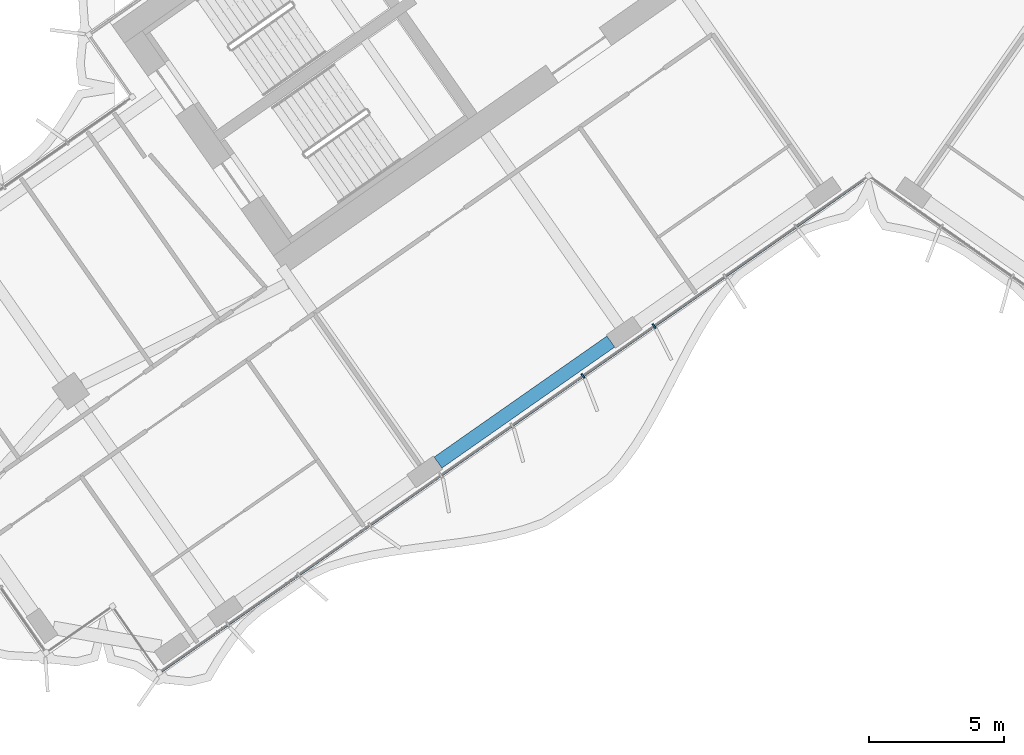
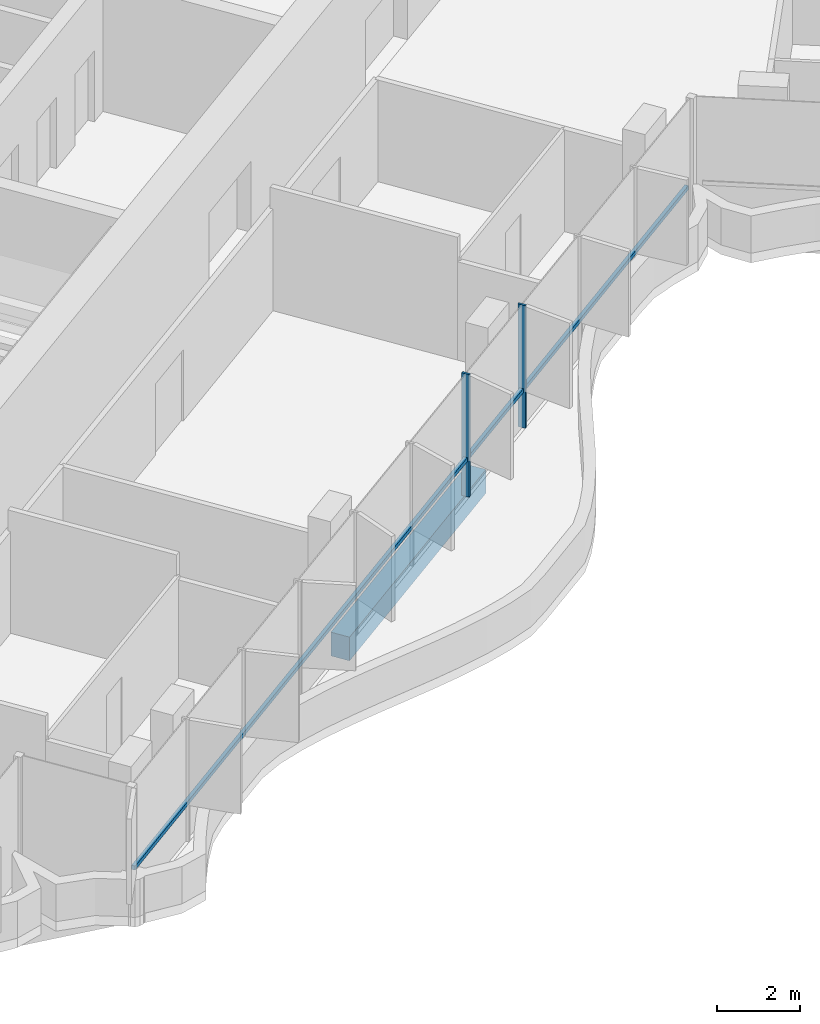
# One storey, part 3 of 23: 3 members, 1 beam, 1 element without a shape of its own.
"""IFC4 building model written with IfcOpenShell, lengths in metres."""

import ifcopenshell
import ifcopenshell.guid

model = None  # the IFC model being written
_history = None  # IfcOwnerHistory: only IFC2X3 demands one
_inside = {}  # id of a spatial element -> (the spatial element, [elements in it])
_under = {}  # id of a project, library or spatial element -> (it, [spatial elements below it])
_declared = {}  # id of a project -> (the project, [libraries it declares])
_typed = {}  # id of a type object -> (the type object, [elements of that type])
_made_of = {}  # id of a material, layer set ... -> (it, [elements and type objects made of it])


def new_model(schema):
    """Start an empty IFC model of exactly this schema.

    Asked for "IFC4X3", IfcOpenShell would pick the latest addendum, in which some entities
    have other attributes; the version numbers below select the first issue.
    IFC2X3 requires an IfcOwnerHistory on every rooted entity: one is made here for all.
    """
    global model, _history
    if schema == "IFC4X3":
        model = ifcopenshell.file(schema_version=(4, 3, 0, 0))
    else:
        model = ifcopenshell.file(schema=schema)
    _inside.clear()
    _under.clear()
    _declared.clear()
    _typed.clear()
    _made_of.clear()
    _history = None
    if model.schema == "IFC2X3":
        org = make("IfcOrganization", Name="unknown")
        user = make(
            "IfcPersonAndOrganization",
            ThePerson=make("IfcPerson", FamilyName="unknown"),
            TheOrganization=org,
        )
        app = make(
            "IfcApplication",
            ApplicationDeveloper=org,
            Version="unknown",
            ApplicationFullName="unknown",
            ApplicationIdentifier="unknown",
        )
        _history = make(
            "IfcOwnerHistory",
            OwningUser=user,
            OwningApplication=app,
            ChangeAction="ADDED",
            CreationDate=0,
        )
    return model


def make(cls, **values):
    """One entity of the class cls with the attributes given. An attribute that is None is left unset."""
    return model.create_entity(
        cls, **{name: value for name, value in values.items() if value is not None}
    )


def rooted(cls, **values):
    """An entity with a GlobalId (a new one), such as an element, a storey or a relation."""
    return make(cls, GlobalId=ifcopenshell.guid.new(), OwnerHistory=_history, **values)


def si_unit(unit_type, name, prefix=None):
    """IfcSIUnit, for example si_unit("LENGTHUNIT", "METRE", prefix="MILLI")."""
    return make("IfcSIUnit", UnitType=unit_type, Prefix=prefix, Name=name)


def assignment(units):
    """IfcUnitAssignment: the units of a project."""
    return None if units is None else make("IfcUnitAssignment", Units=units)


def point(xyz):
    """IfcCartesianPoint."""
    return None if xyz is None else make("IfcCartesianPoint", Coordinates=xyz)


def direction(xyz):
    """IfcDirection."""
    return None if xyz is None else make("IfcDirection", DirectionRatios=xyz)


def frame(location, z_axis=None, x_axis=None):
    """IfcAxis2Placement3D, a coordinate frame: its origin and axes. An axis left out is left unset."""
    return make(
        "IfcAxis2Placement3D",
        Location=point(location),
        Axis=direction(z_axis),
        RefDirection=direction(x_axis),
    )


def frame_2d(location, x_axis=None):
    """IfcAxis2Placement2D, a coordinate frame in the plane: its origin and x axis."""
    return make(
        "IfcAxis2Placement2D", Location=point(location), RefDirection=direction(x_axis)
    )


def origin():
    """The frame at (0, 0, 0) with its axes left unset."""
    return frame((0.0, 0.0, 0.0))


def origin_2d():
    """The frame at (0, 0) in the plane with its x axis left unset."""
    return frame_2d((0.0, 0.0))


def place(relative_to, where):
    """IfcLocalPlacement: puts the frame where relative to a parent placement (None: the world)."""
    return make(
        "IfcLocalPlacement", PlacementRelTo=relative_to, RelativePlacement=where
    )


def context(
    kind, dimensions, precision=None, world=None, true_north=None, identifier=None
):
    """IfcGeometricRepresentationContext, for example the 3D "Model" context."""
    return make(
        "IfcGeometricRepresentationContext",
        ContextIdentifier=identifier,
        ContextType=kind,
        CoordinateSpaceDimension=dimensions,
        Precision=precision,
        WorldCoordinateSystem=world,
        TrueNorth=true_north,
    )


def subcontext(parent, identifier, kind, view, scale=None):
    """IfcGeometricRepresentationSubContext, for example "Body" below "Model"."""
    return make(
        "IfcGeometricRepresentationSubContext",
        ContextIdentifier=identifier,
        ContextType=kind,
        ParentContext=parent,
        TargetScale=scale,
        TargetView=view,
    )


def project(units=None, contexts=None):
    """IfcProject with its units and contexts."""
    return rooted(
        "IfcProject",
        Name="project",
        RepresentationContexts=contexts,
        UnitsInContext=assignment(units),
    )


def spatial(cls, under=None, at=None, **own):
    """A site, building, storey or space (cls), placed at a placement, below another one or the project."""
    s = rooted(cls, ObjectPlacement=at, **own)
    if under is not None:
        _under.setdefault(under.id(), (under, []))[1].append(s)
    return s


def profile(cls, at=None, kind="AREA", **sizes):
    """A parametric profile (cls). Its sizes go by their IFC names, for example OverallWidth=200.0."""
    return make(cls, ProfileType=kind, Position=at, **sizes)


def rectangle(**sizes):
    """IfcRectangleProfileDef."""
    return profile("IfcRectangleProfileDef", **sizes)


def extrude(swept, where, along, depth):
    """IfcExtrudedAreaSolid: the profile swept, set in the frame where, extruded along a direction by depth."""
    return make(
        "IfcExtrudedAreaSolid",
        SweptArea=swept,
        Position=where,
        ExtrudedDirection=direction(along),
        Depth=depth,
    )


def shape(context_of_items, identifier, shape_type, items):
    """IfcShapeRepresentation: the items that make up one representation, for example the "Body"."""
    return make(
        "IfcShapeRepresentation",
        ContextOfItems=context_of_items,
        RepresentationIdentifier=identifier,
        RepresentationType=shape_type,
        Items=items,
    )


def material(Name=None, Category=None):
    """IfcMaterial."""
    return make("IfcMaterial", Name=Name, Category=Category)


def material_profile(
    of_material, cross_section, Name=None, Category=None, Priority=None
):
    """IfcMaterialProfile: a cross section and its material."""
    return make(
        "IfcMaterialProfile",
        Name=Name,
        Material=of_material,
        Profile=cross_section,
        Priority=Priority,
        Category=Category,
    )


def profile_set(profiles, Name=None, composite=None):
    """IfcMaterialProfileSet."""
    return make(
        "IfcMaterialProfileSet",
        Name=Name,
        MaterialProfiles=profiles,
        CompositeProfile=composite,
    )


def made_of(thing, what):
    """Note that an element or type object is made of a material, layer set ...; save() writes the relation."""
    if what is not None:
        _made_of.setdefault(what.id(), (what, []))[1].append(thing)
    return thing


def type_object(cls, material=None, **own):
    """A type object (cls), such as IfcWallType, which elements share."""
    return made_of(rooted(cls, **own), material)


def element(
    cls,
    number,
    at=None,
    inside=None,
    cuts=None,
    type_object=None,
    material=None,
    context=None,
    identifier="Body",
    shape_type=None,
    held_by="IfcProductDefinitionShape",
    body=None,
    shapes=None,
    **own,
):
    """One element of the class cls, such as IfcWall. Its Tag is "e" and its number.

    at: its placement. inside: the storey or other place that contains it. cuts: it is an
    opening in that element (IfcRelVoidsElement). A single representation is given by context,
    identifier, shape_type and body (its items); several are given by shapes. held_by: the class
    of the entity that holds the representations. save() writes the other relations.
    """
    e = rooted(cls, Tag="e%d" % number, ObjectPlacement=at, **own)
    if body is not None:
        shapes = [shape(context, identifier, shape_type, body)]
    if shapes is not None:
        e.Representation = make(held_by, Representations=shapes)
    if inside is not None:
        _inside.setdefault(inside.id(), (inside, []))[1].append(e)
    if cuts is not None:
        rooted(
            "IfcRelVoidsElement", RelatingBuildingElement=cuts, RelatedOpeningElement=e
        )
    if type_object is not None:
        _typed.setdefault(type_object.id(), (type_object, []))[1].append(e)
    return made_of(e, material)


def aggregate(whole, parts):
    """IfcRelAggregates: a whole, such as a stair, and the parts it consists of."""
    return rooted("IfcRelAggregates", RelatingObject=whole, RelatedObjects=parts)


def save(model, path):
    """Write the relations noted so far, then the file.

    IfcRelAggregates (storeys below a building ...), IfcRelContainedInSpatialStructure (elements
    in a storey), IfcRelDefinesByType, IfcRelAssociatesMaterial and IfcRelDeclares: one each for
    every whole, place, type object, material and project.
    """
    for whole, parts in _under.values():
        aggregate(whole, parts)
    for where, things in _inside.values():
        rooted(
            "IfcRelContainedInSpatialStructure",
            RelatedElements=things,
            RelatingStructure=where,
        )
    for kind, things in _typed.values():
        rooted("IfcRelDefinesByType", RelatedObjects=things, RelatingType=kind)
    for what, things in _made_of.values():
        rooted("IfcRelAssociatesMaterial", RelatedObjects=things, RelatingMaterial=what)
    for by, libraries in _declared.values():
        rooted("IfcRelDeclares", RelatingContext=by, RelatedDefinitions=libraries)
    model.write(path)


model = new_model("IFC4")

# Units and contexts
model_context = context("Model", 3, precision=1e-05, world=origin(), true_north=direction((0.0, 1.0)))
body_context = subcontext(model_context, "Body", "Model", "MODEL_VIEW")
ifc_project = project(units=[si_unit("LENGTHUNIT", "METRE"), si_unit("AREAUNIT", "SQUARE_METRE"), si_unit("VOLUMEUNIT", "CUBIC_METRE"), si_unit("PLANEANGLEUNIT", "RADIAN"), si_unit("MASSUNIT", "GRAM", prefix="KILO")], contexts=[model_context])

# Site, building, storey
site_placement = place(None, origin())
site = spatial("IfcSite", under=ifc_project, at=site_placement, CompositionType="ELEMENT")
building_placement = place(site_placement, origin())
building = spatial("IfcBuilding", under=site, at=building_placement, Name="Tel Ilan Convention Tower", CompositionType="ELEMENT")
storey_placement = place(building_placement, frame((0.0, 0.0, 174.89990234375)))
storey = spatial("IfcBuildingStorey", under=building, at=storey_placement, Name="L40", CompositionType="ELEMENT", Elevation=174.89990234375)

# Beam
ifc_material_1 = material(Name="Concrete C40/50", Category="concrete")
ifc_material_profile_1 = material_profile(ifc_material_1, rectangle(XDim=0.5, YDim=0.699951171875, at=origin_2d()), Name="RC 500x700")
ifc_profile_set_1 = profile_set([ifc_material_profile_1], Name="Concrete C40/50")
beam_type = type_object("IfcBeamType", Name="Beam RC 500x700 Concrete C40/50", PredefinedType="BEAM", material=ifc_profile_set_1)
beam_placement = place(storey_placement, frame((-9.529052734375, -18.819091796875, -0.6298828125), z_axis=(-0.819153977895, -0.573573674866, 0.0), x_axis=(0.573573674866, -0.819153977895, 0.0)))
element("IfcBeam", 1, at=beam_placement, inside=storey, type_object=beam_type, Name="L40 beam W-W-F2-W-F3", PredefinedType="BEAM", context=body_context, shape_type="SweptSolid", body=[
    extrude(rectangle(XDim=0.5, YDim=0.699951171875, at=origin_2d()), origin(), (0.0, 0.0, 1.0), 7.800048828125),
])

# Curtain wall, members
ifc_material_2 = material(Name="Aluminium, bronze anodised", Category="aluminium")
curtain_wall_type = type_object("IfcCurtainWallType", Name="CW4 STICK CURTAIN WALL, OFFICE TINTED GLASS", PredefinedType="NOTDEFINED", material=ifc_material_2)
curtain_wall_placement = place(storey_placement, origin())
curtain_wall = element("IfcCurtainWall", 2, at=curtain_wall_placement, inside=storey, type_object=curtain_wall_type, Name="Curtain wall CW4-31.02", PredefinedType="NOTDEFINED")
ifc_material_3 = material(Name="Aluminium, bronze anodised", Category="aluminium")
ifc_material_profile_2 = material_profile(ifc_material_3, rectangle(XDim=0.06005859375, YDim=0.199951171875, at=origin_2d()), Name="CW MULLION 60x200")
ifc_profile_set_2 = profile_set([ifc_material_profile_2], Name="Aluminium, bronze anodised")
member_type_1 = type_object("IfcMemberType", Name="CW MULLION 60x200", PredefinedType="MULLION", material=ifc_profile_set_2)
member_1_placement = place(storey_placement, frame((-10.55810546875, -20.0888671875, 0.0), z_axis=(0.0, 0.0, 1.0), x_axis=(0.819152044289, 0.573576436351, 0.0)))
member_1 = element("IfcMember", 3, at=member_1_placement, type_object=member_type_1, Name="Mullion", PredefinedType="MULLION", context=body_context, shape_type="SweptSolid", body=[
    extrude(rectangle(XDim=0.06005859375, YDim=0.199951171875, at=origin_2d()), origin(), (0.0, 0.0, 1.0), 3.6201171875),
])
member_2_placement = place(storey_placement, frame((-7.932861328125, -18.250732421875, 0.0), z_axis=(0.0, 0.0, 1.0), x_axis=(0.819152044289, 0.573576436351, 0.0)))
member_2 = element("IfcMember", 4, at=member_2_placement, type_object=member_type_1, Name="Mullion", PredefinedType="MULLION", context=body_context, shape_type="SweptSolid", body=[
    extrude(rectangle(XDim=0.06005859375, YDim=0.199951171875, at=origin_2d()), origin(), (0.0, 0.0, 1.0), 3.6201171875),
])
ifc_material_4 = material(Name="Aluminium, bronze anodised", Category="aluminium")
ifc_material_profile_3 = material_profile(ifc_material_4, rectangle(XDim=0.10009765625, YDim=0.1201171875, at=origin_2d()), Name="CW TRANSOM 100x120")
ifc_profile_set_3 = profile_set([ifc_material_profile_3], Name="Aluminium, bronze anodised")
member_type_2 = type_object("IfcMemberType", Name="CW TRANSOM 100x120", PredefinedType="USERDEFINED", material=ifc_profile_set_3)
member_3_placement = place(storey_placement, frame((-26.1455078125, -31.00341796875, 1.10009765625), z_axis=(0.819149281128, 0.573580382534, 0.0), x_axis=(-0.573580382534, 0.819149281128, 0.0)))
member_3 = element("IfcMember", 5, at=member_3_placement, type_object=member_type_2, Name="Transom", ObjectType="TRANSOM", PredefinedType="USERDEFINED", context=body_context, shape_type="SweptSolid", body=[
    extrude(rectangle(XDim=0.10009765625, YDim=0.1201171875, at=origin_2d()), origin(), (0.0, 0.0, 1.0), 31.64794921875),
])
aggregate(curtain_wall, [member_1, member_2, member_3])

save(model, "model.ifc")
